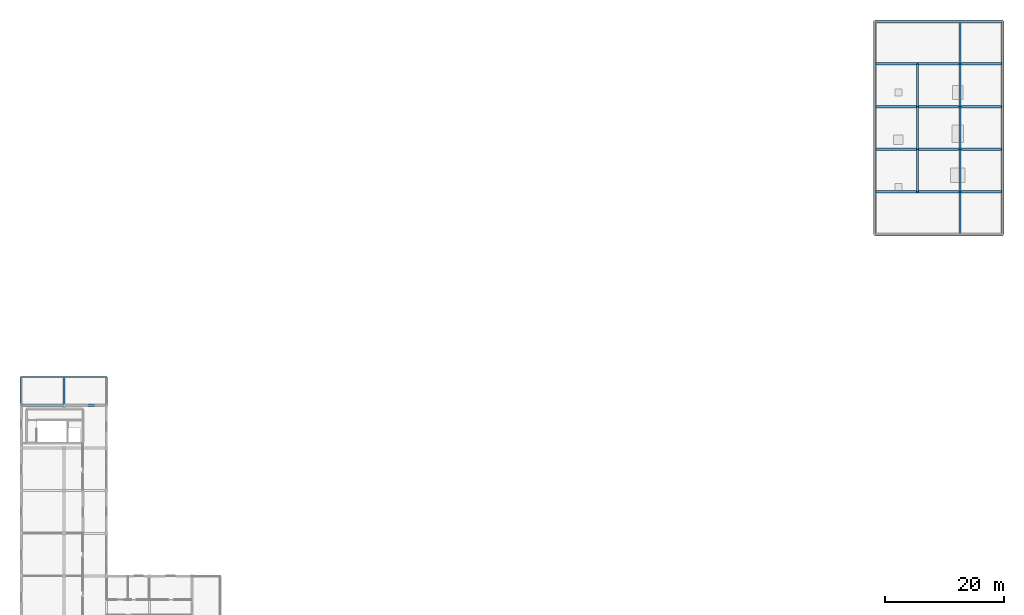
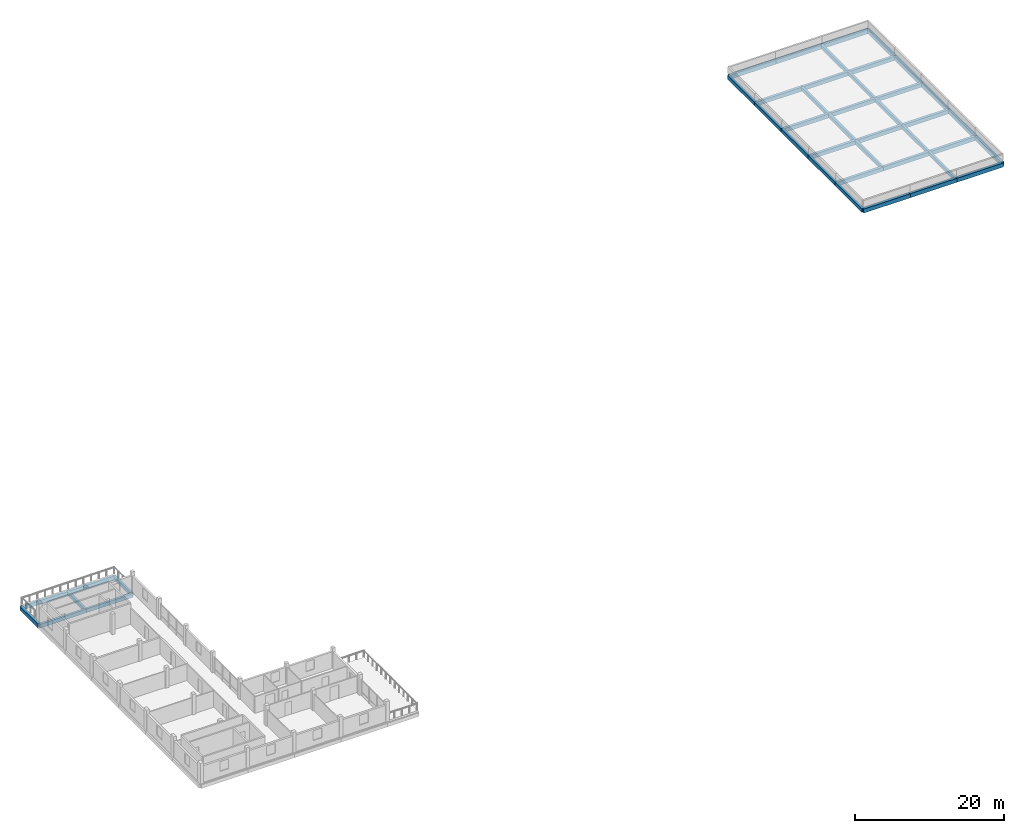
# One storey, part 11 of 18: 43 beams.
"""IFC4 building model written with IfcOpenShell, lengths in metres."""

from ifc_helpers import new_model, si_unit, direction, frame, origin, origin_2d, place, context, subcontext, project, spatial, rectangle, extrude, material, material_profile, profile_set, type_object, element, save


model = new_model("IFC4")

# Units and contexts
model_context = context("Model", 3, precision=1e-05, world=origin(), true_north=direction((0.0, 1.0)))
body_context = subcontext(model_context, "Body", "Model", "MODEL_VIEW")
ifc_project = project(units=[si_unit("LENGTHUNIT", "METRE"), si_unit("AREAUNIT", "SQUARE_METRE"), si_unit("VOLUMEUNIT", "CUBIC_METRE"), si_unit("PLANEANGLEUNIT", "RADIAN"), si_unit("MASSUNIT", "GRAM", prefix="KILO")], contexts=[model_context])

# Site, building, storey
site_placement = place(None, origin())
site = spatial("IfcSite", under=ifc_project, at=site_placement, CompositionType="ELEMENT")
building_placement = place(site_placement, origin())
building = spatial("IfcBuilding", under=site, at=building_placement, Name="Zornivar Specialist Clinic", CompositionType="ELEMENT")
storey_placement = place(building_placement, frame((0.0, 0.0, 23.39990234375)))
storey = spatial("IfcBuildingStorey", under=building, at=storey_placement, Name="L06", CompositionType="ELEMENT", Elevation=23.39990234375)

# Beams
ifc_material_1 = material(Name="Concrete C30/37", Category="concrete")
ifc_material_profile_1 = material_profile(ifc_material_1, rectangle(XDim=0.35009765625, YDim=0.60009765625, at=origin_2d()), Name="RC 350x600")
ifc_profile_set_1 = profile_set([ifc_material_profile_1], Name="Concrete C30/37")
beam_type_1 = type_object("IfcBeamType", Name="BM-RC-350x600", PredefinedType="BEAM", material=ifc_profile_set_1)
for number, where, z_axis, x_axis, name in (
    (1, (0.0, 43.199951171875, -0.579833984375), (1.0, 0.0, 0.0), (0.0, 1.0, 0.0), "bm:V2:L06:x:432:0"),
    (2, (7.199951171875, 43.199951171875, -0.579833984375), (1.0, 0.0, 0.0), (0.0, 1.0, 0.0), "bm:V2:L06:x:432:1"),
    (3, (0.0, 48.0, -0.579833984375), (1.0, 0.0, 0.0), (0.0, 1.0, 0.0), "bm:V2:L06:x:480:0"),
    (4, (7.199951171875, 48.0, -0.579833984375), (1.0, 0.0, 0.0), (0.0, 1.0, 0.0), "bm:V2:L06:x:480:1"),
):
    element("IfcBeam", number, at=place(storey_placement, frame(where, z_axis=z_axis, x_axis=x_axis)), inside=storey, type_object=beam_type_1, Name=name, PredefinedType="BEAM", context=body_context, shape_type="SweptSolid", body=[
        extrude(rectangle(XDim=0.35009765625, YDim=0.60009765625, at=origin_2d()), origin(), (0.0, 0.0, 1.0), 7.199951171875),
    ])
for number, where, z_axis, x_axis, name in (
    (5, (7.199951171875, 43.199951171875, -0.579833984375), (0.0, 1.0, 0.0), (-1.0, 0.0, 0.0), "bm:V2:L06:y:72:6"),
    (6, (14.39990234375, 43.199951171875, -0.579833984375), (0.0, 1.0, 0.0), (-1.0, 0.0, 0.0), "bm:V2:L06:y:144:6"),
):
    element("IfcBeam", number, at=place(storey_placement, frame(where, z_axis=z_axis, x_axis=x_axis)), inside=storey, type_object=beam_type_1, Name=name, PredefinedType="BEAM", context=body_context, shape_type="SweptSolid", body=[
        extrude(rectangle(XDim=0.35009765625, YDim=0.60009765625, at=origin_2d()), origin(), (0.0, 0.0, 1.0), 4.800048828125),
    ])
ifc_material_2 = material(Name="Concrete C30/37", Category="concrete")
ifc_material_profile_2 = material_profile(ifc_material_2, rectangle(XDim=0.360107421875, YDim=0.60009765625, at=origin_2d()), Name="RC 360x600")
ifc_profile_set_2 = profile_set([ifc_material_profile_2], Name="Concrete C30/37")
beam_type_2 = type_object("IfcBeamType", Name="BM-RC-360x600", PredefinedType="BEAM", material=ifc_profile_set_2)
for number, where, z_axis, x_axis, name in (
    (7, (144.0, 72.0, -0.539794921875), (0.0, 1.0, 0.0), (-1.0, 0.0, 0.0), "bm:V6:L06:y:1440:1"),
    (8, (144.0, 79.199951171875, -0.539794921875), (0.0, 1.0, 0.0), (-1.0, 0.0, 0.0), "bm:V6:L06:y:1440:2"),
):
    element("IfcBeam", number, at=place(storey_placement, frame(where, z_axis=z_axis, x_axis=x_axis)), inside=storey, type_object=beam_type_2, Name=name, PredefinedType="BEAM", context=body_context, shape_type="SweptSolid", body=[
        extrude(rectangle(XDim=0.360107421875, YDim=0.60009765625, at=origin_2d()), origin(), (0.0, 0.0, 1.0), 7.199951171875),
    ])
beam_1_placement = place(storey_placement, frame((144.0, 86.39990234375, -0.539794921875), z_axis=(0.0, 1.0, 0.0), x_axis=(-1.0, 0.0, 0.0)))
element("IfcBeam", 9, at=beam_1_placement, inside=storey, type_object=beam_type_2, Name="bm:V6:L06:y:1440:3", PredefinedType="BEAM", context=body_context, shape_type="SweptSolid", body=[
    extrude(rectangle(XDim=0.360107421875, YDim=0.60009765625, at=origin_2d()), origin(), (0.0, 0.0, 1.0), 7.2001953125),
])
for number, where, z_axis, x_axis, name in (
    (10, (144.0, 93.60009765625, -0.539794921875), (0.0, 1.0, 0.0), (-1.0, 0.0, 0.0), "bm:V6:L06:y:1440:4"),
    (11, (144.0, 100.800048828125, -0.539794921875), (0.0, 1.0, 0.0), (-1.0, 0.0, 0.0), "bm:V6:L06:y:1440:5"),
    (12, (151.199951171875, 79.199951171875, -0.539794921875), (0.0, 1.0, 0.0), (-1.0, 0.0, 0.0), "bm:V6:L06:y:1512:2"),
):
    element("IfcBeam", number, at=place(storey_placement, frame(where, z_axis=z_axis, x_axis=x_axis)), inside=storey, type_object=beam_type_2, Name=name, PredefinedType="BEAM", context=body_context, shape_type="SweptSolid", body=[
        extrude(rectangle(XDim=0.360107421875, YDim=0.60009765625, at=origin_2d()), origin(), (0.0, 0.0, 1.0), 7.199951171875),
    ])
beam_2_placement = place(storey_placement, frame((151.199951171875, 86.39990234375, -0.539794921875), z_axis=(0.0, 1.0, 0.0), x_axis=(-1.0, 0.0, 0.0)))
element("IfcBeam", 13, at=beam_2_placement, inside=storey, type_object=beam_type_2, Name="bm:V6:L06:y:1512:3", PredefinedType="BEAM", context=body_context, shape_type="SweptSolid", body=[
    extrude(rectangle(XDim=0.360107421875, YDim=0.60009765625, at=origin_2d()), origin(), (0.0, 0.0, 1.0), 7.2001953125),
])
for number, where, z_axis, x_axis, name in (
    (14, (151.199951171875, 93.60009765625, -0.539794921875), (0.0, 1.0, 0.0), (-1.0, 0.0, 0.0), "bm:V6:L06:y:1512:4"),
    (15, (158.39990234375, 72.0, -0.539794921875), (0.0, 1.0, 0.0), (-1.0, 0.0, 0.0), "bm:V6:L06:y:1584:1"),
    (16, (158.39990234375, 79.199951171875, -0.539794921875), (0.0, 1.0, 0.0), (-1.0, 0.0, 0.0), "bm:V6:L06:y:1584:2"),
):
    element("IfcBeam", number, at=place(storey_placement, frame(where, z_axis=z_axis, x_axis=x_axis)), inside=storey, type_object=beam_type_2, Name=name, PredefinedType="BEAM", context=body_context, shape_type="SweptSolid", body=[
        extrude(rectangle(XDim=0.360107421875, YDim=0.60009765625, at=origin_2d()), origin(), (0.0, 0.0, 1.0), 7.199951171875),
    ])
beam_3_placement = place(storey_placement, frame((158.39990234375, 86.39990234375, -0.539794921875), z_axis=(0.0, 1.0, 0.0), x_axis=(-1.0, 0.0, 0.0)))
element("IfcBeam", 17, at=beam_3_placement, inside=storey, type_object=beam_type_2, Name="bm:V6:L06:y:1584:3", PredefinedType="BEAM", context=body_context, shape_type="SweptSolid", body=[
    extrude(rectangle(XDim=0.360107421875, YDim=0.60009765625, at=origin_2d()), origin(), (0.0, 0.0, 1.0), 7.2001953125),
])
for number, where, z_axis, x_axis, name in (
    (18, (158.39990234375, 93.60009765625, -0.539794921875), (0.0, 1.0, 0.0), (-1.0, 0.0, 0.0), "bm:V6:L06:y:1584:4"),
    (19, (158.39990234375, 100.800048828125, -0.539794921875), (0.0, 1.0, 0.0), (-1.0, 0.0, 0.0), "bm:V6:L06:y:1584:5"),
):
    element("IfcBeam", number, at=place(storey_placement, frame(where, z_axis=z_axis, x_axis=x_axis)), inside=storey, type_object=beam_type_2, Name=name, PredefinedType="BEAM", context=body_context, shape_type="SweptSolid", body=[
        extrude(rectangle(XDim=0.360107421875, YDim=0.60009765625, at=origin_2d()), origin(), (0.0, 0.0, 1.0), 7.199951171875),
    ])
ifc_material_3 = material(Name="Concrete C30/37", Category="concrete")
ifc_material_profile_3 = material_profile(ifc_material_3, rectangle(XDim=0.419921875, YDim=0.64990234375, at=origin_2d()), Name="RC 420x650")
ifc_profile_set_3 = profile_set([ifc_material_profile_3], Name="Concrete C30/37")
beam_type_3 = type_object("IfcBeamType", Name="BM-RC-420x650", PredefinedType="BEAM", material=ifc_profile_set_3)
for number, where, z_axis, x_axis, name in (
    (20, (144.0, 72.0, -0.56494140625), (1.0, 0.0, 0.0), (0.0, 1.0, 0.0), "bm:V6:L06:x:720:1"),
    (21, (151.199951171875, 72.0, -0.56494140625), (1.0, 0.0, 0.0), (0.0, 1.0, 0.0), "bm:V6:L06:x:720:2"),
):
    element("IfcBeam", number, at=place(storey_placement, frame(where, z_axis=z_axis, x_axis=x_axis)), inside=storey, type_object=beam_type_3, Name=name, PredefinedType="BEAM", context=body_context, shape_type="SweptSolid", body=[
        extrude(rectangle(XDim=0.419921875, YDim=0.64990234375, at=origin_2d()), origin(), (0.0, 0.0, 1.0), 7.199951171875),
    ])
beam_4_placement = place(storey_placement, frame((158.39990234375, 72.0, -0.56494140625), z_axis=(1.0, 0.0, 0.0), x_axis=(0.0, 1.0, 0.0)))
element("IfcBeam", 22, at=beam_4_placement, inside=storey, type_object=beam_type_3, Name="bm:V6:L06:x:720:3", PredefinedType="BEAM", context=body_context, shape_type="SweptSolid", body=[
    extrude(rectangle(XDim=0.419921875, YDim=0.64990234375, at=origin_2d()), origin(), (0.0, 0.0, 1.0), 7.2001953125),
])
for number, where, z_axis, x_axis, name in (
    (23, (144.0, 79.199951171875, -0.56494140625), (1.0, 0.0, 0.0), (0.0, 1.0, 0.0), "bm:V6:L06:x:792:1"),
    (24, (151.199951171875, 79.199951171875, -0.56494140625), (1.0, 0.0, 0.0), (0.0, 1.0, 0.0), "bm:V6:L06:x:792:2"),
):
    element("IfcBeam", number, at=place(storey_placement, frame(where, z_axis=z_axis, x_axis=x_axis)), inside=storey, type_object=beam_type_3, Name=name, PredefinedType="BEAM", context=body_context, shape_type="SweptSolid", body=[
        extrude(rectangle(XDim=0.419921875, YDim=0.64990234375, at=origin_2d()), origin(), (0.0, 0.0, 1.0), 7.199951171875),
    ])
beam_5_placement = place(storey_placement, frame((158.39990234375, 79.199951171875, -0.56494140625), z_axis=(1.0, 0.0, 0.0), x_axis=(0.0, 1.0, 0.0)))
element("IfcBeam", 25, at=beam_5_placement, inside=storey, type_object=beam_type_3, Name="bm:V6:L06:x:792:3", PredefinedType="BEAM", context=body_context, shape_type="SweptSolid", body=[
    extrude(rectangle(XDim=0.419921875, YDim=0.64990234375, at=origin_2d()), origin(), (0.0, 0.0, 1.0), 7.2001953125),
])
for number, where, z_axis, x_axis, name in (
    (26, (144.0, 86.39990234375, -0.56494140625), (1.0, 0.0, 0.0), (0.0, 1.0, 0.0), "bm:V6:L06:x:864:1"),
    (27, (151.199951171875, 86.39990234375, -0.56494140625), (1.0, 0.0, 0.0), (0.0, 1.0, 0.0), "bm:V6:L06:x:864:2"),
):
    element("IfcBeam", number, at=place(storey_placement, frame(where, z_axis=z_axis, x_axis=x_axis)), inside=storey, type_object=beam_type_3, Name=name, PredefinedType="BEAM", context=body_context, shape_type="SweptSolid", body=[
        extrude(rectangle(XDim=0.419921875, YDim=0.64990234375, at=origin_2d()), origin(), (0.0, 0.0, 1.0), 7.199951171875),
    ])
beam_6_placement = place(storey_placement, frame((158.39990234375, 86.39990234375, -0.56494140625), z_axis=(1.0, 0.0, 0.0), x_axis=(0.0, 1.0, 0.0)))
element("IfcBeam", 28, at=beam_6_placement, inside=storey, type_object=beam_type_3, Name="bm:V6:L06:x:864:3", PredefinedType="BEAM", context=body_context, shape_type="SweptSolid", body=[
    extrude(rectangle(XDim=0.419921875, YDim=0.64990234375, at=origin_2d()), origin(), (0.0, 0.0, 1.0), 7.2001953125),
])
for number, where, z_axis, x_axis, name in (
    (29, (144.0, 93.60009765625, -0.56494140625), (1.0, 0.0, 0.0), (0.0, 1.0, 0.0), "bm:V6:L06:x:936:1"),
    (30, (151.199951171875, 93.60009765625, -0.56494140625), (1.0, 0.0, 0.0), (0.0, 1.0, 0.0), "bm:V6:L06:x:936:2"),
):
    element("IfcBeam", number, at=place(storey_placement, frame(where, z_axis=z_axis, x_axis=x_axis)), inside=storey, type_object=beam_type_3, Name=name, PredefinedType="BEAM", context=body_context, shape_type="SweptSolid", body=[
        extrude(rectangle(XDim=0.419921875, YDim=0.64990234375, at=origin_2d()), origin(), (0.0, 0.0, 1.0), 7.199951171875),
    ])
beam_7_placement = place(storey_placement, frame((158.39990234375, 93.60009765625, -0.56494140625), z_axis=(1.0, 0.0, 0.0), x_axis=(0.0, 1.0, 0.0)))
element("IfcBeam", 31, at=beam_7_placement, inside=storey, type_object=beam_type_3, Name="bm:V6:L06:x:936:3", PredefinedType="BEAM", context=body_context, shape_type="SweptSolid", body=[
    extrude(rectangle(XDim=0.419921875, YDim=0.64990234375, at=origin_2d()), origin(), (0.0, 0.0, 1.0), 7.2001953125),
])
for number, where, z_axis, x_axis, name in (
    (32, (144.0, 100.800048828125, -0.56494140625), (1.0, 0.0, 0.0), (0.0, 1.0, 0.0), "bm:V6:L06:x:1008:1"),
    (33, (151.199951171875, 100.800048828125, -0.56494140625), (1.0, 0.0, 0.0), (0.0, 1.0, 0.0), "bm:V6:L06:x:1008:2"),
):
    element("IfcBeam", number, at=place(storey_placement, frame(where, z_axis=z_axis, x_axis=x_axis)), inside=storey, type_object=beam_type_3, Name=name, PredefinedType="BEAM", context=body_context, shape_type="SweptSolid", body=[
        extrude(rectangle(XDim=0.419921875, YDim=0.64990234375, at=origin_2d()), origin(), (0.0, 0.0, 1.0), 7.199951171875),
    ])
beam_8_placement = place(storey_placement, frame((158.39990234375, 100.800048828125, -0.56494140625), z_axis=(1.0, 0.0, 0.0), x_axis=(0.0, 1.0, 0.0)))
element("IfcBeam", 34, at=beam_8_placement, inside=storey, type_object=beam_type_3, Name="bm:V6:L06:x:1008:3", PredefinedType="BEAM", context=body_context, shape_type="SweptSolid", body=[
    extrude(rectangle(XDim=0.419921875, YDim=0.64990234375, at=origin_2d()), origin(), (0.0, 0.0, 1.0), 7.2001953125),
])
for number, where, z_axis, x_axis, name in (
    (35, (144.0, 108.0, -0.56494140625), (1.0, 0.0, 0.0), (0.0, 1.0, 0.0), "bm:V6:L06:x:1080:1"),
    (36, (151.199951171875, 108.0, -0.56494140625), (1.0, 0.0, 0.0), (0.0, 1.0, 0.0), "bm:V6:L06:x:1080:2"),
):
    element("IfcBeam", number, at=place(storey_placement, frame(where, z_axis=z_axis, x_axis=x_axis)), inside=storey, type_object=beam_type_3, Name=name, PredefinedType="BEAM", context=body_context, shape_type="SweptSolid", body=[
        extrude(rectangle(XDim=0.419921875, YDim=0.64990234375, at=origin_2d()), origin(), (0.0, 0.0, 1.0), 7.199951171875),
    ])
beam_9_placement = place(storey_placement, frame((158.39990234375, 108.0, -0.56494140625), z_axis=(1.0, 0.0, 0.0), x_axis=(0.0, 1.0, 0.0)))
element("IfcBeam", 37, at=beam_9_placement, inside=storey, type_object=beam_type_3, Name="bm:V6:L06:x:1080:3", PredefinedType="BEAM", context=body_context, shape_type="SweptSolid", body=[
    extrude(rectangle(XDim=0.419921875, YDim=0.64990234375, at=origin_2d()), origin(), (0.0, 0.0, 1.0), 7.2001953125),
])
ifc_material_4 = material(Name="Concrete C30/37", Category="concrete")
ifc_material_profile_4 = material_profile(ifc_material_4, rectangle(XDim=0.409912109375, YDim=0.60009765625, at=origin_2d()), Name="RC 410x600")
ifc_profile_set_4 = profile_set([ifc_material_profile_4], Name="Concrete C30/37")
beam_type_4 = type_object("IfcBeamType", Name="BM-RC-SPANDREL-410x600", PredefinedType="SPANDREL", material=ifc_profile_set_4)
beam_10_placement = place(storey_placement, frame((0.0, 43.199951171875, -0.579833984375), z_axis=(0.0, 1.0, 0.0), x_axis=(-1.0, 0.0, 0.0)))
element("IfcBeam", 38, at=beam_10_placement, inside=storey, type_object=beam_type_4, Name="bm:V2:L06:y:0:6", PredefinedType="SPANDREL", context=body_context, shape_type="SweptSolid", body=[
    extrude(rectangle(XDim=0.409912109375, YDim=0.60009765625, at=origin_2d()), origin(), (0.0, 0.0, 1.0), 4.800048828125),
])
ifc_material_5 = material(Name="Concrete C30/37", Category="concrete")
ifc_material_profile_5 = material_profile(ifc_material_5, rectangle(XDim=0.419921875, YDim=0.60009765625, at=origin_2d()), Name="RC 420x600")
ifc_profile_set_5 = profile_set([ifc_material_profile_5], Name="Concrete C30/37")
beam_type_5 = type_object("IfcBeamType", Name="BM-RC-SPANDREL-420x600", PredefinedType="SPANDREL", material=ifc_profile_set_5)
for number, where, z_axis, x_axis, name in (
    (39, (165.60009765625, 72.0, -0.539794921875), (0.0, 1.0, 0.0), (-1.0, 0.0, 0.0), "bm:V6:L06:y:1656:1"),
    (40, (165.60009765625, 79.199951171875, -0.539794921875), (0.0, 1.0, 0.0), (-1.0, 0.0, 0.0), "bm:V6:L06:y:1656:2"),
):
    element("IfcBeam", number, at=place(storey_placement, frame(where, z_axis=z_axis, x_axis=x_axis)), inside=storey, type_object=beam_type_5, Name=name, PredefinedType="SPANDREL", context=body_context, shape_type="SweptSolid", body=[
        extrude(rectangle(XDim=0.419921875, YDim=0.60009765625, at=origin_2d()), origin(), (0.0, 0.0, 1.0), 7.199951171875),
    ])
beam_11_placement = place(storey_placement, frame((165.60009765625, 86.39990234375, -0.539794921875), z_axis=(0.0, 1.0, 0.0), x_axis=(-1.0, 0.0, 0.0)))
element("IfcBeam", 41, at=beam_11_placement, inside=storey, type_object=beam_type_5, Name="bm:V6:L06:y:1656:3", PredefinedType="SPANDREL", context=body_context, shape_type="SweptSolid", body=[
    extrude(rectangle(XDim=0.419921875, YDim=0.60009765625, at=origin_2d()), origin(), (0.0, 0.0, 1.0), 7.2001953125),
])
for number, where, z_axis, x_axis, name in (
    (42, (165.60009765625, 93.60009765625, -0.539794921875), (0.0, 1.0, 0.0), (-1.0, 0.0, 0.0), "bm:V6:L06:y:1656:4"),
    (43, (165.60009765625, 100.800048828125, -0.539794921875), (0.0, 1.0, 0.0), (-1.0, 0.0, 0.0), "bm:V6:L06:y:1656:5"),
):
    element("IfcBeam", number, at=place(storey_placement, frame(where, z_axis=z_axis, x_axis=x_axis)), inside=storey, type_object=beam_type_5, Name=name, PredefinedType="SPANDREL", context=body_context, shape_type="SweptSolid", body=[
        extrude(rectangle(XDim=0.419921875, YDim=0.60009765625, at=origin_2d()), origin(), (0.0, 0.0, 1.0), 7.199951171875),
    ])

save(model, "model.ifc")
